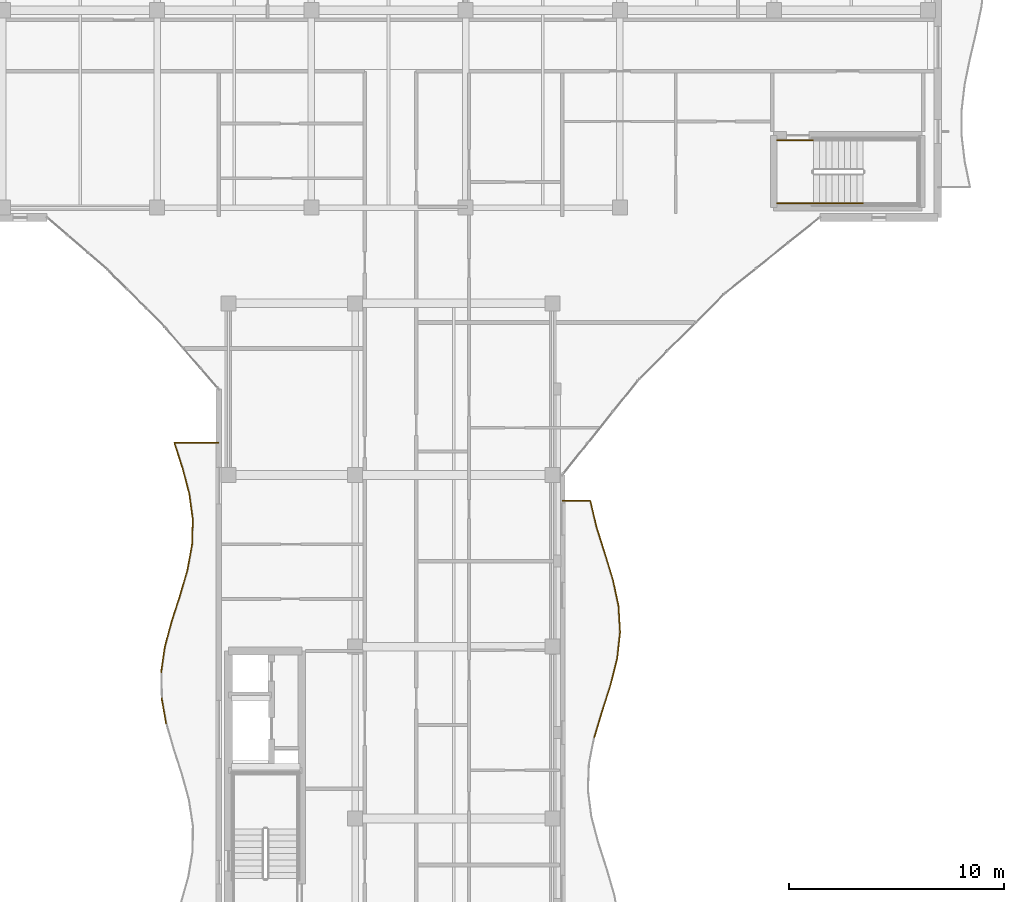
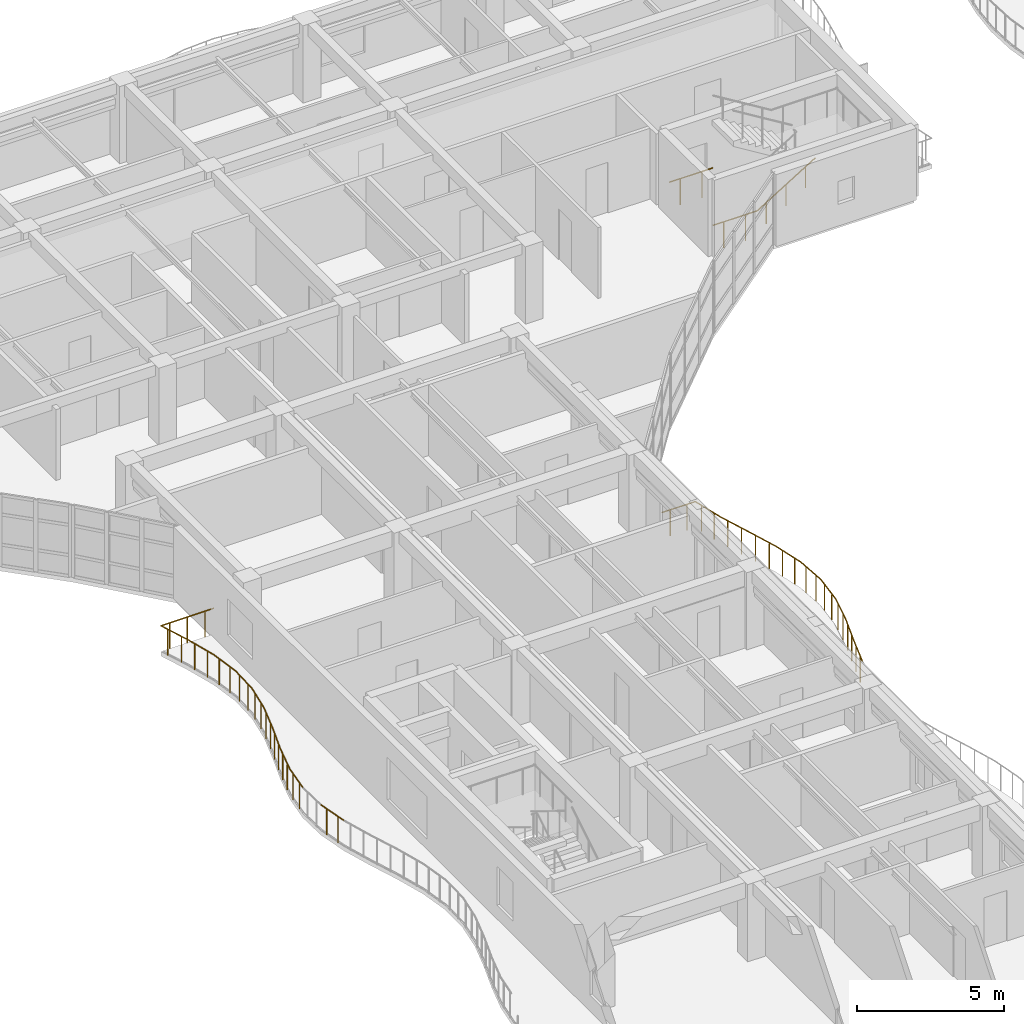
# One storey, part 79 of 89: 24 railings.
"""IFC4 building model written with IfcOpenShell, lengths in metres."""

from ifc_helpers import new_model, si_unit, direction, frame, origin, origin_2d, place, context, subcontext, project, spatial, circle, extrude, material, type_object, element, save


model = new_model("IFC4")

# Units and contexts
model_context = context("Model", 3, precision=1e-05, world=origin(), true_north=direction((0.0, 1.0)))
body_context = subcontext(model_context, "Body", "Model", "MODEL_VIEW")
ifc_project = project(units=[si_unit("LENGTHUNIT", "METRE"), si_unit("AREAUNIT", "SQUARE_METRE"), si_unit("VOLUMEUNIT", "CUBIC_METRE"), si_unit("PLANEANGLEUNIT", "RADIAN"), si_unit("MASSUNIT", "GRAM", prefix="KILO")], contexts=[model_context])

# Site, building, storey
site_placement = place(None, origin())
site = spatial("IfcSite", under=ifc_project, at=site_placement, CompositionType="ELEMENT")
building_placement = place(site_placement, origin())
building = spatial("IfcBuilding", under=site, at=building_placement, Name="Keldmere Railside Commons", CompositionType="ELEMENT")
storey_placement = place(building_placement, frame((0.0, 0.0, 7.360107421875)))
storey = spatial("IfcBuildingStorey", under=building, at=storey_placement, Name="L02", CompositionType="ELEMENT", Elevation=7.360107421875)

# Railings
ifc_material = material(Name="Steel F-24 (S235)", Category="steel")
railing_type_1 = type_object("IfcRailingType", Name="Balcony & Terrace Steel Balustrade 1100", PredefinedType="BALUSTRADE", material=ifc_material)
railing_1_placement = place(storey_placement, frame((121.496826171875, 75.77490234375, 0.0)))
element("IfcRailing", 1, at=railing_1_placement, inside=storey, type_object=railing_type_1, Name="GR-1 GRD-L02-2028", PredefinedType="BALUSTRADE", context=body_context, shape_type="SweptSolid", body=[
    extrude(circle(Radius=0.02392578125, at=origin_2d()), frame((0.0, 0.0, 1.076171875), z_axis=(0.287452950891, 0.957794759343, 0.0), x_axis=(-0.957794759343, 0.287452950891, 0.0)), (0.0, 0.0, 1.0), 1.279052734375),
    extrude(circle(Radius=0.02099609375, at=origin_2d()), frame((0.091796875, 0.30615234375, 0.0)), (0.0, 0.0, 1.0), 1.048095703125),
    extrude(circle(Radius=0.02099609375, at=origin_2d()), frame((0.27587890625, 0.9189453125, 0.0)), (0.0, 0.0, 1.0), 1.048095703125),
])
railing_2_placement = place(storey_placement, frame((121.864501953125, 77.0, 0.0)))
element("IfcRailing", 2, at=railing_2_placement, inside=storey, type_object=railing_type_1, Name="GR-1 GRD-L02-2029", PredefinedType="BALUSTRADE", context=body_context, shape_type="SweptSolid", body=[
    extrude(circle(Radius=0.02392578125, at=origin_2d()), frame((0.0, 0.0, 1.076171875), z_axis=(0.304472659504, 0.95252107568, 0.0), x_axis=(-0.95252107568, 0.304472659504, 0.0)), (0.0, 0.0, 1.0), 1.2861328125),
    extrude(circle(Radius=0.02099609375, at=origin_2d()), frame((0.097900390625, 0.30615234375, 0.0)), (0.0, 0.0, 1.0), 1.048095703125),
    extrude(circle(Radius=0.02099609375, at=origin_2d()), frame((0.293701171875, 0.9189453125, 0.0)), (0.0, 0.0, 1.0), 1.048095703125),
])
railing_3_placement = place(storey_placement, frame((122.256103515625, 78.22509765625, 0.0)))
element("IfcRailing", 3, at=railing_3_placement, inside=storey, type_object=railing_type_1, Name="GR-1 GRD-L02-2030", PredefinedType="BALUSTRADE", context=body_context, shape_type="SweptSolid", body=[
    extrude(circle(Radius=0.02392578125, at=origin_2d()), frame((0.0, 0.0, 1.076171875), z_axis=(0.242308109697, 0.970199350636, 0.0), x_axis=(-0.970199350636, 0.242308109697, 0.0)), (0.0, 0.0, 1.0), 1.262451171875),
    extrude(circle(Radius=0.02099609375, at=origin_2d()), frame((0.076416015625, 0.30615234375, 0.0)), (0.0, 0.0, 1.0), 1.048095703125),
    extrude(circle(Radius=0.02099609375, at=origin_2d()), frame((0.2294921875, 0.918701171875, 0.0)), (0.0, 0.0, 1.0), 1.048095703125),
])
railing_4_placement = place(storey_placement, frame((122.56201171875, 79.449951171875, 0.0)))
element("IfcRailing", 4, at=railing_4_placement, inside=storey, type_object=railing_type_1, Name="GR-1 GRD-L02-2031", PredefinedType="BALUSTRADE", context=body_context, shape_type="SweptSolid", body=[
    extrude(circle(Radius=0.02392578125, at=origin_2d()), frame((0.0, 0.0, 1.076171875), z_axis=(0.109931494097, 0.993939166451, 0.0), x_axis=(-0.993939166451, 0.109931494097, 0.0)), (0.0, 0.0, 1.0), 1.232666015625),
    extrude(circle(Radius=0.02099609375, at=origin_2d()), frame((0.033935546875, 0.30615234375, 0.0)), (0.0, 0.0, 1.0), 1.048095703125),
    extrude(circle(Radius=0.02099609375, at=origin_2d()), frame((0.1015625, 0.9189453125, 0.0)), (0.0, 0.0, 1.0), 1.048095703125),
])
railing_5_placement = place(storey_placement, frame((122.697509765625, 80.675048828125, 0.0)))
element("IfcRailing", 5, at=railing_5_placement, inside=storey, type_object=railing_type_1, Name="GR-1 GRD-L02-2032", PredefinedType="BALUSTRADE", context=body_context, shape_type="SweptSolid", body=[
    extrude(circle(Radius=0.02392578125, at=origin_2d()), frame((0.0, 0.0, 1.076171875), z_axis=(-0.05949180971, 0.998228793703, 0.0), x_axis=(-0.998228793703, -0.05949180971, 0.0)), (0.0, 0.0, 1.0), 1.22705078125),
    extrude(circle(Radius=0.02099609375, at=origin_2d()), frame((-0.018310546875, 0.30615234375, 0.0)), (0.0, 0.0, 1.0), 1.048095703125),
    extrude(circle(Radius=0.02099609375, at=origin_2d()), frame((-0.0546875, 0.918701171875, 0.0)), (0.0, 0.0, 1.0), 1.048095703125),
])
railing_6_placement = place(storey_placement, frame((122.62451171875, 81.89990234375, 0.0)))
element("IfcRailing", 6, at=railing_6_placement, inside=storey, type_object=railing_type_1, Name="GR-1 GRD-L02-2033", PredefinedType="BALUSTRADE", context=body_context, shape_type="SweptSolid", body=[
    extrude(circle(Radius=0.02392578125, at=origin_2d()), frame((0.0, 0.0, 1.076171875), z_axis=(-0.208730432785, 0.977973213554, 0.0), x_axis=(-0.977973213554, -0.208730432785, 0.0)), (0.0, 0.0, 1.0), 1.252685546875),
    extrude(circle(Radius=0.02099609375, at=origin_2d()), frame((-0.0654296875, 0.30615234375, 0.0)), (0.0, 0.0, 1.0), 1.048095703125),
    extrude(circle(Radius=0.02099609375, at=origin_2d()), frame((-0.196044921875, 0.9189453125, 0.0)), (0.0, 0.0, 1.0), 1.048095703125),
])
railing_7_placement = place(storey_placement, frame((122.363037109375, 83.125, 0.0)))
element("IfcRailing", 7, at=railing_7_placement, inside=storey, type_object=railing_type_1, Name="GR-1 GRD-L02-2034", PredefinedType="BALUSTRADE", context=body_context, shape_type="SweptSolid", body=[
    extrude(circle(Radius=0.02392578125, at=origin_2d()), frame((0.0, 0.0, 1.076171875), z_axis=(-0.293737796336, 0.955886032435, 0.0), x_axis=(-0.955886032435, -0.293737796336, 0.0)), (0.0, 0.0, 1.0), 1.28173828125),
    extrude(circle(Radius=0.02099609375, at=origin_2d()), frame((-0.09423828125, 0.30615234375, 0.0)), (0.0, 0.0, 1.0), 1.048095703125),
    extrude(circle(Radius=0.02099609375, at=origin_2d()), frame((-0.2822265625, 0.9189453125, 0.0)), (0.0, 0.0, 1.0), 1.048095703125),
])
railing_8_placement = place(storey_placement, frame((121.986572265625, 84.35009765625, 0.0)))
element("IfcRailing", 8, at=railing_8_placement, inside=storey, type_object=railing_type_1, Name="GR-1 GRD-L02-2035", PredefinedType="BALUSTRADE", context=body_context, shape_type="SweptSolid", body=[
    extrude(circle(Radius=0.02392578125, at=origin_2d()), frame((0.0, 0.0, 1.076171875), z_axis=(-0.301076787078, 0.953599899477, 0.0), x_axis=(-0.953599899477, -0.301076787078, 0.0)), (0.0, 0.0, 1.0), 1.284423828125),
    extrude(circle(Radius=0.02099609375, at=origin_2d()), frame((-0.0966796875, 0.30615234375, 0.0)), (0.0, 0.0, 1.0), 1.048095703125),
    extrude(circle(Radius=0.02099609375, at=origin_2d()), frame((-0.2900390625, 0.918701171875, 0.0)), (0.0, 0.0, 1.0), 1.048095703125),
])
railing_9_placement = place(storey_placement, frame((121.599853515625, 85.574951171875, 0.0)))
element("IfcRailing", 9, at=railing_9_placement, inside=storey, type_object=railing_type_1, Name="GR-1 GRD-L02-2036", PredefinedType="BALUSTRADE", context=body_context, shape_type="SweptSolid", body=[
    extrude(circle(Radius=0.02392578125, at=origin_2d()), frame((0.0, 0.0, 1.076171875), z_axis=(-0.229644688586, 0.973274533215, 0.0), x_axis=(-0.973274533215, -0.229644688586, 0.0)), (0.0, 0.0, 1.0), 1.2587890625),
    extrude(circle(Radius=0.02099609375, at=origin_2d()), frame((-0.072265625, 0.30615234375, 0.0)), (0.0, 0.0, 1.0), 1.048095703125),
    extrude(circle(Radius=0.02099609375, at=origin_2d()), frame((-0.216796875, 0.9189453125, 0.0)), (0.0, 0.0, 1.0), 1.048095703125),
])
railing_10_placement = place(storey_placement, frame((121.310791015625, 86.800048828125, 0.0)))
element("IfcRailing", 10, at=railing_10_placement, inside=storey, type_object=railing_type_1, Name="GR-1 GRD-L02-2037", PredefinedType="BALUSTRADE", context=body_context, shape_type="SweptSolid", body=[
    extrude(circle(Radius=0.02392578125, at=origin_2d()), frame((0.0, 0.0, 1.076171875), z_axis=(-1.0, 0.0, 0.0), x_axis=(0.0, -1.0, 0.0)), (0.0, 0.0, 1.0), 1.310791015625),
    extrude(circle(Radius=0.02099609375, at=origin_2d()), frame((-0.32763671875, 0.0, 0.0)), (0.0, 0.0, 1.0), 1.048095703125),
    extrude(circle(Radius=0.02099609375, at=origin_2d()), frame((-0.983154296875, 0.0, 0.0)), (0.0, 0.0, 1.0), 1.048095703125),
])
railing_11_placement = place(storey_placement, frame((101.5478515625, 76.422119140625, 0.0)))
element("IfcRailing", 11, at=railing_11_placement, inside=storey, type_object=railing_type_1, Name="GR-1 GRD-L02-2055", PredefinedType="BALUSTRADE", context=body_context, shape_type="SweptSolid", body=[
    extrude(circle(Radius=0.02392578125, at=origin_2d()), frame((0.0, 0.0, 1.076171875), z_axis=(-0.174096772101, 0.984728548354, 0.0), x_axis=(-0.984728548354, -0.174096772101, 0.0)), (0.0, 0.0, 1.0), 1.20751953125),
    extrude(circle(Radius=0.02099609375, at=origin_2d()), frame((-0.052490234375, 0.29736328125, 0.0)), (0.0, 0.0, 1.0), 1.048095703125),
    extrude(circle(Radius=0.02099609375, at=origin_2d()), frame((-0.15771484375, 0.8916015625, 0.0)), (0.0, 0.0, 1.0), 1.048095703125),
])
railing_12_placement = place(storey_placement, frame((101.31494140625, 78.800048828125, 0.0)))
element("IfcRailing", 12, at=railing_12_placement, inside=storey, type_object=railing_type_1, Name="GR-1 GRD-L02-2057", PredefinedType="BALUSTRADE", context=body_context, shape_type="SweptSolid", body=[
    extrude(circle(Radius=0.02392578125, at=origin_2d()), frame((0.0, 0.0, 1.076171875), z_axis=(0.142075809029, 0.989855779641, 0.0), x_axis=(-0.989855779641, 0.142075809029, 0.0)), (0.0, 0.0, 1.0), 1.201171875),
    extrude(circle(Radius=0.02099609375, at=origin_2d()), frame((0.042724609375, 0.29736328125, 0.0)), (0.0, 0.0, 1.0), 1.048095703125),
    extrude(circle(Radius=0.02099609375, at=origin_2d()), frame((0.1279296875, 0.8916015625, 0.0)), (0.0, 0.0, 1.0), 1.048095703125),
])
railing_13_placement = place(storey_placement, frame((101.485595703125, 79.989013671875, 0.0)))
element("IfcRailing", 13, at=railing_13_placement, inside=storey, type_object=railing_type_1, Name="GR-1 GRD-L02-2058", PredefinedType="BALUSTRADE", context=body_context, shape_type="SweptSolid", body=[
    extrude(circle(Radius=0.02392578125, at=origin_2d()), frame((0.0, 0.0, 1.076171875), z_axis=(0.259439944483, 0.965759242879, 0.0), x_axis=(-0.965759242879, 0.259439944483, 0.0)), (0.0, 0.0, 1.0), 1.23095703125),
    extrude(circle(Radius=0.02099609375, at=origin_2d()), frame((0.079833984375, 0.297119140625, 0.0)), (0.0, 0.0, 1.0), 1.048095703125),
    extrude(circle(Radius=0.02099609375, at=origin_2d()), frame((0.239501953125, 0.8916015625, 0.0)), (0.0, 0.0, 1.0), 1.048095703125),
])
railing_14_placement = place(storey_placement, frame((101.804931640625, 81.177734375, 0.0)))
element("IfcRailing", 14, at=railing_14_placement, inside=storey, type_object=railing_type_1, Name="GR-1 GRD-L02-2059", PredefinedType="BALUSTRADE", context=body_context, shape_type="SweptSolid", body=[
    extrude(circle(Radius=0.02392578125, at=origin_2d()), frame((0.0, 0.0, 1.076171875), z_axis=(0.307185476739, 0.951649663942, 0.0), x_axis=(-0.951649663942, 0.307185476739, 0.0)), (0.0, 0.0, 1.0), 1.249267578125),
    extrude(circle(Radius=0.02099609375, at=origin_2d()), frame((0.095947265625, 0.29736328125, 0.0)), (0.0, 0.0, 1.0), 1.048095703125),
    extrude(circle(Radius=0.02099609375, at=origin_2d()), frame((0.287841796875, 0.8916015625, 0.0)), (0.0, 0.0, 1.0), 1.048095703125),
])
railing_15_placement = place(storey_placement, frame((102.188720703125, 82.36669921875, 0.0)))
element("IfcRailing", 15, at=railing_15_placement, inside=storey, type_object=railing_type_1, Name="GR-1 GRD-L02-2060", PredefinedType="BALUSTRADE", context=body_context, shape_type="SweptSolid", body=[
    extrude(circle(Radius=0.02392578125, at=origin_2d()), frame((0.0, 0.0, 1.076171875), z_axis=(0.280287607459, 0.95991606774, 0.0), x_axis=(-0.95991606774, 0.280287607459, 0.0)), (0.0, 0.0, 1.0), 1.238525390625),
    extrude(circle(Radius=0.02099609375, at=origin_2d()), frame((0.0869140625, 0.29736328125, 0.0)), (0.0, 0.0, 1.0), 1.048095703125),
    extrude(circle(Radius=0.02099609375, at=origin_2d()), frame((0.26025390625, 0.8916015625, 0.0)), (0.0, 0.0, 1.0), 1.048095703125),
])
railing_16_placement = place(storey_placement, frame((102.535888671875, 83.5556640625, 0.0)))
element("IfcRailing", 16, at=railing_16_placement, inside=storey, type_object=railing_type_1, Name="GR-1 GRD-L02-2061", PredefinedType="BALUSTRADE", context=body_context, shape_type="SweptSolid", body=[
    extrude(circle(Radius=0.02392578125, at=origin_2d()), frame((0.0, 0.0, 1.076171875), z_axis=(0.181373193187, 0.983414340343, 0.0), x_axis=(-0.983414340343, 0.181373193187, 0.0)), (0.0, 0.0, 1.0), 1.208740234375),
    extrude(circle(Radius=0.02099609375, at=origin_2d()), frame((0.0546875, 0.297119140625, 0.0)), (0.0, 0.0, 1.0), 1.048095703125),
    extrude(circle(Radius=0.02099609375, at=origin_2d()), frame((0.16455078125, 0.8916015625, 0.0)), (0.0, 0.0, 1.0), 1.048095703125),
])
railing_17_placement = place(storey_placement, frame((102.755126953125, 84.744384765625, 0.0)))
element("IfcRailing", 17, at=railing_17_placement, inside=storey, type_object=railing_type_1, Name="GR-1 GRD-L02-2062", PredefinedType="BALUSTRADE", context=body_context, shape_type="SweptSolid", body=[
    extrude(circle(Radius=0.02392578125, at=origin_2d()), frame((0.0, 0.0, 1.076171875), z_axis=(0.028530475629, 0.999592923124, 0.0), x_axis=(-0.999592923124, 0.028530475629, 0.0)), (0.0, 0.0, 1.0), 1.189453125),
    extrude(circle(Radius=0.02099609375, at=origin_2d()), frame((0.008544921875, 0.29736328125, 0.0)), (0.0, 0.0, 1.0), 1.048095703125),
    extrude(circle(Radius=0.02099609375, at=origin_2d()), frame((0.025390625, 0.8916015625, 0.0)), (0.0, 0.0, 1.0), 1.048095703125),
])
railing_18_placement = place(storey_placement, frame((102.7890625, 85.933349609375, 0.0)))
element("IfcRailing", 18, at=railing_18_placement, inside=storey, type_object=railing_type_1, Name="GR-1 GRD-L02-2063", PredefinedType="BALUSTRADE", context=body_context, shape_type="SweptSolid", body=[
    extrude(circle(Radius=0.02392578125, at=origin_2d()), frame((0.0, 0.0, 1.076171875), z_axis=(-0.1338962916, 0.990995349684, 0.0), x_axis=(-0.990995349684, -0.1338962916, 0.0)), (0.0, 0.0, 1.0), 1.19970703125),
    extrude(circle(Radius=0.02099609375, at=origin_2d()), frame((-0.0400390625, 0.29736328125, 0.0)), (0.0, 0.0, 1.0), 1.048095703125),
    extrude(circle(Radius=0.02099609375, at=origin_2d()), frame((-0.12060546875, 0.8916015625, 0.0)), (0.0, 0.0, 1.0), 1.048095703125),
])
railing_19_placement = place(storey_placement, frame((102.62841796875, 87.122314453125, 0.0)))
element("IfcRailing", 19, at=railing_19_placement, inside=storey, type_object=railing_type_1, Name="GR-1 GRD-L02-2064", PredefinedType="BALUSTRADE", context=body_context, shape_type="SweptSolid", body=[
    extrude(circle(Radius=0.02392578125, at=origin_2d()), frame((0.0, 0.0, 1.076171875), z_axis=(-0.254434638461, 0.967089972418, 0.0), x_axis=(-0.967089972418, -0.254434638461, 0.0)), (0.0, 0.0, 1.0), 1.229248046875),
    extrude(circle(Radius=0.02099609375, at=origin_2d()), frame((-0.078125, 0.297119140625, 0.0)), (0.0, 0.0, 1.0), 1.048095703125),
    extrude(circle(Radius=0.02099609375, at=origin_2d()), frame((-0.234619140625, 0.8916015625, 0.0)), (0.0, 0.0, 1.0), 1.048095703125),
])
railing_20_placement = place(storey_placement, frame((102.315673828125, 88.31103515625, 0.0)))
element("IfcRailing", 20, at=railing_20_placement, inside=storey, type_object=railing_type_1, Name="GR-1 GRD-L02-2065", PredefinedType="BALUSTRADE", context=body_context, shape_type="SweptSolid", body=[
    extrude(circle(Radius=0.02392578125, at=origin_2d()), frame((0.0, 0.0, 1.076171875), z_axis=(-0.306477337524, 0.951877955194, 0.0), x_axis=(-0.951877955194, -0.306477337524, 0.0)), (0.0, 0.0, 1.0), 1.2490234375),
    extrude(circle(Radius=0.02099609375, at=origin_2d()), frame((-0.095703125, 0.29736328125, 0.0)), (0.0, 0.0, 1.0), 1.048095703125),
    extrude(circle(Radius=0.02099609375, at=origin_2d()), frame((-0.287109375, 0.8916015625, 0.0)), (0.0, 0.0, 1.0), 1.048095703125),
])
railing_21_placement = place(storey_placement, frame((101.932861328125, 89.5, 0.0)))
element("IfcRailing", 21, at=railing_21_placement, inside=storey, type_object=railing_type_1, Name="GR-1 GRD-L02-2066", PredefinedType="BALUSTRADE", context=body_context, shape_type="SweptSolid", body=[
    extrude(circle(Radius=0.02392578125, at=origin_2d()), frame((0.0, 0.0, 1.076171875), z_axis=(1.0, 0.0, 0.0), x_axis=(0.0, 1.0, 0.0)), (0.0, 0.0, 1.0), 2.067138671875),
    extrude(circle(Radius=0.02099609375, at=origin_2d()), frame((0.344482421875, 0.0, 0.0)), (0.0, 0.0, 1.0), 1.048095703125),
    extrude(circle(Radius=0.02099609375, at=origin_2d()), frame((1.03369140625, 0.0, 0.0)), (0.0, 0.0, 1.0), 1.048095703125),
    extrude(circle(Radius=0.02099609375, at=origin_2d()), frame((1.72265625, 0.0, 0.0)), (0.0, 0.0, 1.0), 1.048095703125),
])
railing_type_2 = type_object("IfcRailingType", Name="Stair Well Steel Guardrail 1100", PredefinedType="BALUSTRADE", material=ifc_material)
for number, where, name in (
    (22, (130.0, 100.64990234375, 0.0), "L02 ST-B2 stair guard 8"),
    (23, (130.0, 103.60009765625, 0.0), "L02 ST-B2 stair guard 9"),
):
    element("IfcRailing", number, at=place(storey_placement, frame(where)), inside=storey, type_object=railing_type_2, Name=name, PredefinedType="BALUSTRADE", context=body_context, shape_type="SweptSolid", body=[
        extrude(circle(Radius=0.02392578125, at=origin_2d()), frame((0.0, 0.0, 1.076171875), z_axis=(1.0, 0.0, 0.0), x_axis=(0.0, 1.0, 0.0)), (0.0, 0.0, 1.0), 1.699951171875),
        extrude(circle(Radius=0.02099609375, at=origin_2d()), frame((0.425048828125, 0.0, 0.0)), (0.0, 0.0, 1.0), 1.048095703125),
        extrude(circle(Radius=0.02099609375, at=origin_2d()), frame((1.27490234375, 0.0, 0.0)), (0.0, 0.0, 1.0), 1.048095703125),
    ])
railing_type_3 = type_object("IfcRailingType", Name="Wall-Mounted Tubular Steel Handrail 900", PredefinedType="HANDRAIL", material=ifc_material)
railing_22_placement = place(storey_placement, frame((131.699951171875, 100.64990234375, 0.177734375)))
element("IfcRailing", 24, at=railing_22_placement, inside=storey, type_object=railing_type_3, Name="L02 ST-B2 stair handrail 1", PredefinedType="HANDRAIL", context=body_context, shape_type="SweptSolid", body=[
    extrude(circle(Radius=0.02392578125, at=origin_2d()), frame((0.0, 0.0, 0.8759765625), z_axis=(0.852578041948, 0.0, 0.522599925744), x_axis=(0.0, 1.0, 0.0)), (0.0, 0.0, 1.0), 2.72119140625),
    extrude(circle(Radius=0.02099609375, at=origin_2d()), frame((0.38671875, 0.0, 0.237060546875)), (0.0, 0.0, 1.0), 0.847900390625),
    extrude(circle(Radius=0.02099609375, at=origin_2d()), frame((1.16015625, 0.0, 0.7109375)), (0.0, 0.0, 1.0), 0.847900390625),
    extrude(circle(Radius=0.02099609375, at=origin_2d()), frame((1.933349609375, 0.0, 1.18505859375)), (0.0, 0.0, 1.0), 0.847900390625),
])

save(model, "model.ifc")
